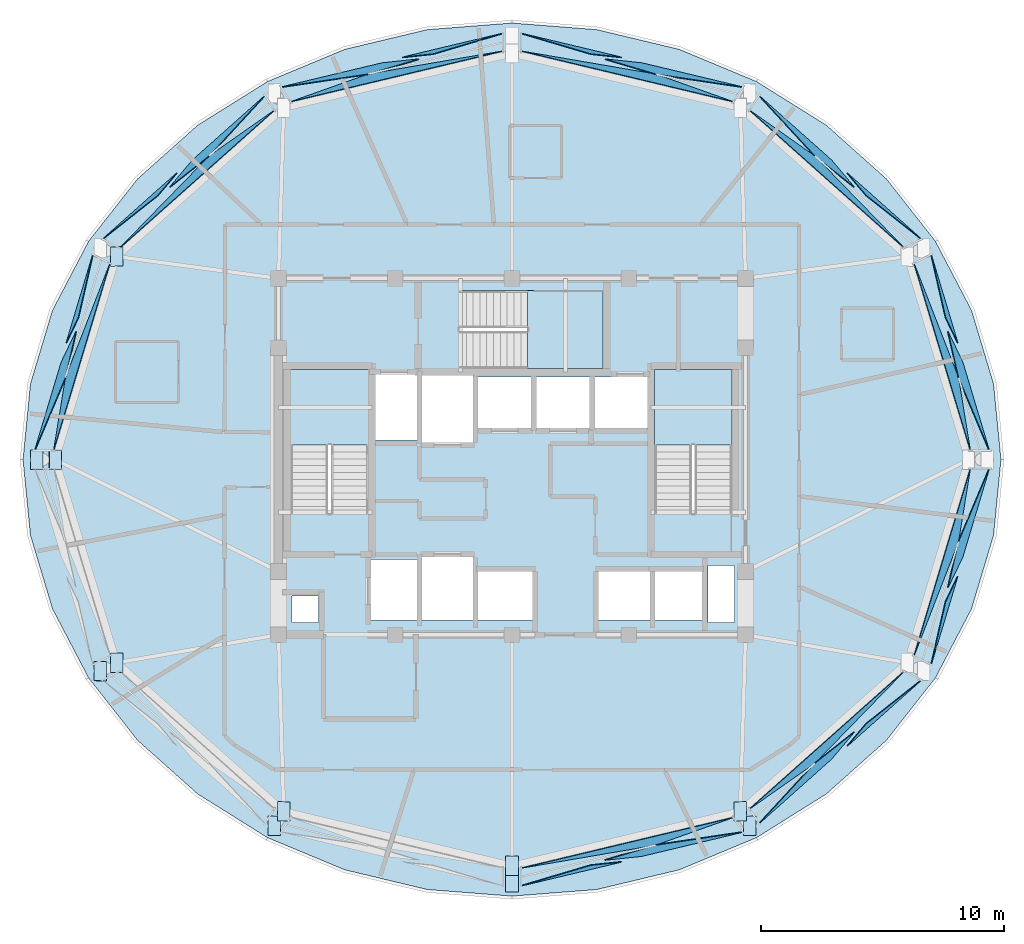
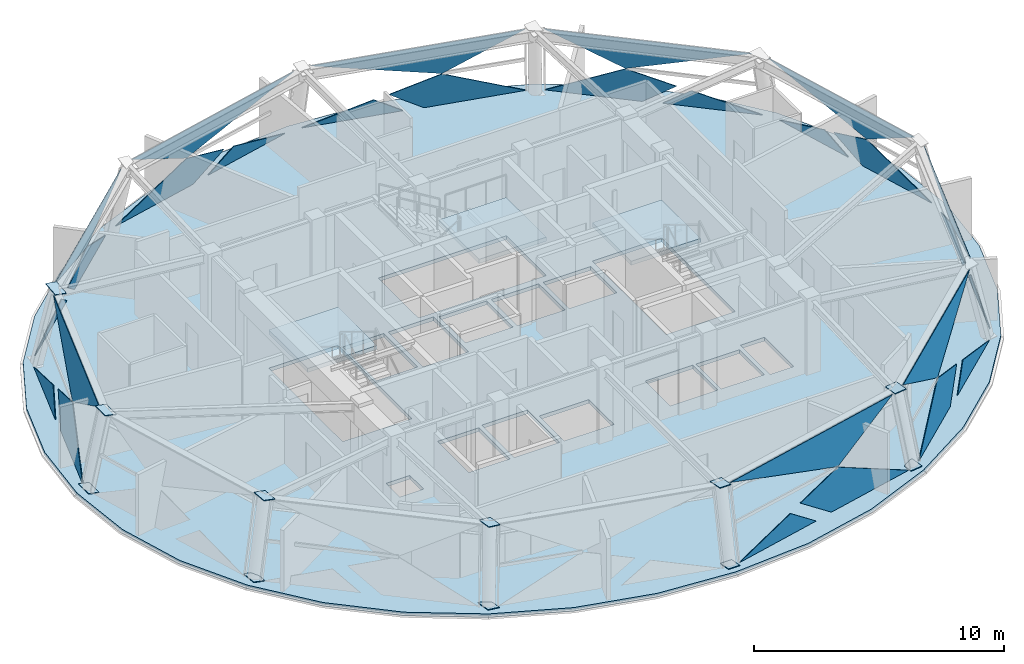
# One storey, part 3 of 11: 38 plates, 4 slabs, 12 elements without a shape of their own.
"""IFC4 building model written with IfcOpenShell, lengths in metres."""

import ifcopenshell
import ifcopenshell.guid

model = None  # the IFC model being written
_history = None  # IfcOwnerHistory: only IFC2X3 demands one
_inside = {}  # id of a spatial element -> (the spatial element, [elements in it])
_under = {}  # id of a project, library or spatial element -> (it, [spatial elements below it])
_declared = {}  # id of a project -> (the project, [libraries it declares])
_typed = {}  # id of a type object -> (the type object, [elements of that type])
_made_of = {}  # id of a material, layer set ... -> (it, [elements and type objects made of it])


def new_model(schema):
    """Start an empty IFC model of exactly this schema.

    Asked for "IFC4X3", IfcOpenShell would pick the latest addendum, in which some entities
    have other attributes; the version numbers below select the first issue.
    IFC2X3 requires an IfcOwnerHistory on every rooted entity: one is made here for all.
    """
    global model, _history
    if schema == "IFC4X3":
        model = ifcopenshell.file(schema_version=(4, 3, 0, 0))
    else:
        model = ifcopenshell.file(schema=schema)
    _inside.clear()
    _under.clear()
    _declared.clear()
    _typed.clear()
    _made_of.clear()
    _history = None
    if model.schema == "IFC2X3":
        org = make("IfcOrganization", Name="unknown")
        user = make(
            "IfcPersonAndOrganization",
            ThePerson=make("IfcPerson", FamilyName="unknown"),
            TheOrganization=org,
        )
        app = make(
            "IfcApplication",
            ApplicationDeveloper=org,
            Version="unknown",
            ApplicationFullName="unknown",
            ApplicationIdentifier="unknown",
        )
        _history = make(
            "IfcOwnerHistory",
            OwningUser=user,
            OwningApplication=app,
            ChangeAction="ADDED",
            CreationDate=0,
        )
    return model


def make(cls, **values):
    """One entity of the class cls with the attributes given. An attribute that is None is left unset."""
    return model.create_entity(
        cls, **{name: value for name, value in values.items() if value is not None}
    )


def rooted(cls, **values):
    """An entity with a GlobalId (a new one), such as an element, a storey or a relation."""
    return make(cls, GlobalId=ifcopenshell.guid.new(), OwnerHistory=_history, **values)


def si_unit(unit_type, name, prefix=None):
    """IfcSIUnit, for example si_unit("LENGTHUNIT", "METRE", prefix="MILLI")."""
    return make("IfcSIUnit", UnitType=unit_type, Prefix=prefix, Name=name)


def assignment(units):
    """IfcUnitAssignment: the units of a project."""
    return None if units is None else make("IfcUnitAssignment", Units=units)


def point(xyz):
    """IfcCartesianPoint."""
    return None if xyz is None else make("IfcCartesianPoint", Coordinates=xyz)


def direction(xyz):
    """IfcDirection."""
    return None if xyz is None else make("IfcDirection", DirectionRatios=xyz)


def frame(location, z_axis=None, x_axis=None):
    """IfcAxis2Placement3D, a coordinate frame: its origin and axes. An axis left out is left unset."""
    return make(
        "IfcAxis2Placement3D",
        Location=point(location),
        Axis=direction(z_axis),
        RefDirection=direction(x_axis),
    )


def origin():
    """The frame at (0, 0, 0) with its axes left unset."""
    return frame((0.0, 0.0, 0.0))


def place(relative_to, where):
    """IfcLocalPlacement: puts the frame where relative to a parent placement (None: the world)."""
    return make(
        "IfcLocalPlacement", PlacementRelTo=relative_to, RelativePlacement=where
    )


def context(
    kind, dimensions, precision=None, world=None, true_north=None, identifier=None
):
    """IfcGeometricRepresentationContext, for example the 3D "Model" context."""
    return make(
        "IfcGeometricRepresentationContext",
        ContextIdentifier=identifier,
        ContextType=kind,
        CoordinateSpaceDimension=dimensions,
        Precision=precision,
        WorldCoordinateSystem=world,
        TrueNorth=true_north,
    )


def subcontext(parent, identifier, kind, view, scale=None):
    """IfcGeometricRepresentationSubContext, for example "Body" below "Model"."""
    return make(
        "IfcGeometricRepresentationSubContext",
        ContextIdentifier=identifier,
        ContextType=kind,
        ParentContext=parent,
        TargetScale=scale,
        TargetView=view,
    )


def project(units=None, contexts=None):
    """IfcProject with its units and contexts."""
    return rooted(
        "IfcProject",
        Name="project",
        RepresentationContexts=contexts,
        UnitsInContext=assignment(units),
    )


def spatial(cls, under=None, at=None, **own):
    """A site, building, storey or space (cls), placed at a placement, below another one or the project."""
    s = rooted(cls, ObjectPlacement=at, **own)
    if under is not None:
        _under.setdefault(under.id(), (under, []))[1].append(s)
    return s


def polyline(points):
    """IfcPolyline through the points."""
    return make("IfcPolyline", Points=[point(p) for p in points])


def outline(outer, holes=None, kind="AREA"):
    """IfcArbitraryClosedProfileDef: a profile drawn as a closed curve; with holes, ...WithVoids."""
    if holes is None:
        return make("IfcArbitraryClosedProfileDef", ProfileType=kind, OuterCurve=outer)
    return make(
        "IfcArbitraryProfileDefWithVoids",
        ProfileType=kind,
        OuterCurve=outer,
        InnerCurves=holes,
    )


def extrude(swept, where, along, depth):
    """IfcExtrudedAreaSolid: the profile swept, set in the frame where, extruded along a direction by depth."""
    return make(
        "IfcExtrudedAreaSolid",
        SweptArea=swept,
        Position=where,
        ExtrudedDirection=direction(along),
        Depth=depth,
    )


def shape(context_of_items, identifier, shape_type, items):
    """IfcShapeRepresentation: the items that make up one representation, for example the "Body"."""
    return make(
        "IfcShapeRepresentation",
        ContextOfItems=context_of_items,
        RepresentationIdentifier=identifier,
        RepresentationType=shape_type,
        Items=items,
    )


def material(Name=None, Category=None):
    """IfcMaterial."""
    return make("IfcMaterial", Name=Name, Category=Category)


def layer(
    of_material, thickness, ventilated=None, Name=None, Category=None, Priority=None
):
    """IfcMaterialLayer: one layer of a wall or slab, of a material (None: an air gap)."""
    return make(
        "IfcMaterialLayer",
        Material=of_material,
        LayerThickness=thickness,
        IsVentilated=ventilated,
        Name=Name,
        Category=Category,
        Priority=Priority,
    )


def layer_set(layers, Name=None):
    """IfcMaterialLayerSet."""
    return make("IfcMaterialLayerSet", MaterialLayers=layers, LayerSetName=Name)


def made_of(thing, what):
    """Note that an element or type object is made of a material, layer set ...; save() writes the relation."""
    if what is not None:
        _made_of.setdefault(what.id(), (what, []))[1].append(thing)
    return thing


def type_object(cls, material=None, **own):
    """A type object (cls), such as IfcWallType, which elements share."""
    return made_of(rooted(cls, **own), material)


def element(
    cls,
    number,
    at=None,
    inside=None,
    cuts=None,
    type_object=None,
    material=None,
    context=None,
    identifier="Body",
    shape_type=None,
    held_by="IfcProductDefinitionShape",
    body=None,
    shapes=None,
    **own,
):
    """One element of the class cls, such as IfcWall. Its Tag is "e" and its number.

    at: its placement. inside: the storey or other place that contains it. cuts: it is an
    opening in that element (IfcRelVoidsElement). A single representation is given by context,
    identifier, shape_type and body (its items); several are given by shapes. held_by: the class
    of the entity that holds the representations. save() writes the other relations.
    """
    e = rooted(cls, Tag="e%d" % number, ObjectPlacement=at, **own)
    if body is not None:
        shapes = [shape(context, identifier, shape_type, body)]
    if shapes is not None:
        e.Representation = make(held_by, Representations=shapes)
    if inside is not None:
        _inside.setdefault(inside.id(), (inside, []))[1].append(e)
    if cuts is not None:
        rooted(
            "IfcRelVoidsElement", RelatingBuildingElement=cuts, RelatedOpeningElement=e
        )
    if type_object is not None:
        _typed.setdefault(type_object.id(), (type_object, []))[1].append(e)
    return made_of(e, material)


def aggregate(whole, parts):
    """IfcRelAggregates: a whole, such as a stair, and the parts it consists of."""
    return rooted("IfcRelAggregates", RelatingObject=whole, RelatedObjects=parts)


def save(model, path):
    """Write the relations noted so far, then the file.

    IfcRelAggregates (storeys below a building ...), IfcRelContainedInSpatialStructure (elements
    in a storey), IfcRelDefinesByType, IfcRelAssociatesMaterial and IfcRelDeclares: one each for
    every whole, place, type object, material and project.
    """
    for whole, parts in _under.values():
        aggregate(whole, parts)
    for where, things in _inside.values():
        rooted(
            "IfcRelContainedInSpatialStructure",
            RelatedElements=things,
            RelatingStructure=where,
        )
    for kind, things in _typed.values():
        rooted("IfcRelDefinesByType", RelatedObjects=things, RelatingType=kind)
    for what, things in _made_of.values():
        rooted("IfcRelAssociatesMaterial", RelatedObjects=things, RelatingMaterial=what)
    for by, libraries in _declared.values():
        rooted("IfcRelDeclares", RelatingContext=by, RelatedDefinitions=libraries)
    model.write(path)


model = new_model("IFC4")

# Units and contexts
model_context = context("Model", 3, precision=1e-05, world=origin(), true_north=direction((0.0, 1.0)))
body_context = subcontext(model_context, "Body", "Model", "MODEL_VIEW")
ifc_project = project(units=[si_unit("LENGTHUNIT", "METRE"), si_unit("AREAUNIT", "SQUARE_METRE"), si_unit("VOLUMEUNIT", "CUBIC_METRE"), si_unit("PLANEANGLEUNIT", "RADIAN"), si_unit("MASSUNIT", "GRAM", prefix="KILO")], contexts=[model_context])

# Site, building, storey
site_placement = place(None, origin())
site = spatial("IfcSite", under=ifc_project, at=site_placement, CompositionType="ELEMENT")
building_placement = place(site_placement, origin())
building = spatial("IfcBuilding", under=site, at=building_placement, Name="Vantalir Tower", CompositionType="ELEMENT")
storey_placement = place(building_placement, frame((0.0, 0.0, 278.85009765625)))
storey = spatial("IfcBuildingStorey", under=building, at=storey_placement, Name="L70", CompositionType="ELEMENT", Elevation=278.85009765625)

# Curtain wall, plates
ifc_material_1 = material(Name="Champagne-silver PVDF aluminium and double-silver Low-E glass", Category="aluminium")
ifc_layer_1 = layer(ifc_material_1, 0.219970703125)
ifc_layer_set_1 = layer_set([ifc_layer_1], Name="Champagne-silver PVDF aluminium and double-silver Low-E glass")
curtain_wall_type = type_object("IfcCurtainWallType", Name="CW-DIAMOND-Z4", PredefinedType="USERDEFINED", material=ifc_layer_set_1)
curtain_wall_1_placement = place(storey_placement, origin())
curtain_wall_1 = element("IfcCurtainWall", 1, at=curtain_wall_1_placement, inside=storey, type_object=curtain_wall_type, Name="L70 Quilted Pyramid-Diamond Curtain Wall S01", ObjectType="UNITISED CURTAIN WALL", PredefinedType="USERDEFINED")
ifc_material_2 = material(Name="Double-silver Low-E acoustic glass IGU", Category="glass")
ifc_layer_2 = layer(ifc_material_2, 0.031982421875)
ifc_layer_set_2 = layer_set([ifc_layer_2], Name="Double-silver Low-E acoustic glass IGU")
plate_type_1 = type_object("IfcPlateType", Name="CWP-IGU-32", PredefinedType="CURTAIN_PANEL", material=ifc_layer_set_2)
plate_1_placement = place(storey_placement, frame((51.123046875, 25.387451171875, 0.047119140625), z_axis=(0.938844856219, 0.282432365834, 0.19698298069), x_axis=(-0.288064955524, 0.957610869658, -6.0927675e-05)))
plate_1 = element("IfcPlate", 2, at=plate_1_placement, type_object=plate_type_1, Name="CW-L70-S01 Pyramid Diamond Facet 1L", PredefinedType="CURTAIN_PANEL", context=body_context, shape_type="SweptSolid", body=[
    extrude(outline(polyline([(0.0, 0.0), (3.7814038845801523, -3.791997098268052e-17), (5.165391058592876, 1.0965056853286526), (3.2257569810311266, 1.7595386070550223), (0.0, 0.0)])), origin(), (0.0, 0.0, -1.0), 0.031982421875),
])
plate_2_placement = place(storey_placement, frame((49.8310546875, 29.804931640625, 0.053955078125), z_axis=(0.938842721954, 0.282389263406, 0.197054934847), x_axis=(-0.288036963055, 0.957619291741, 0.0)))
plate_2 = element("IfcPlate", 3, at=plate_2_placement, type_object=plate_type_1, Name="CW-L70-S01 Pyramid Diamond Facet 1L Infill Light", PredefinedType="CURTAIN_PANEL", context=body_context, shape_type="SweptSolid", body=[
    extrude(outline(polyline([(0.0, 0.0), (3.7701324457838936, 2.7755575615628914e-17), (1.1366346836791343, 0.9004684823359722), (0.0, 0.0)])), origin(), (0.0, 0.0, -1.0), 0.031982421875),
])
plate_3_placement = place(storey_placement, frame((48.037109375, 33.057373046875, 3.52294921875), z_axis=(0.933591175972, 0.280791270516, 0.222629240105), x_axis=(0.288032977747, -0.95762048851, -6.0965812e-05)))
plate_3 = element("IfcPlate", 4, at=plate_3_placement, type_object=plate_type_1, Name="CW-L70-S01 Pyramid Diamond Facet 2U", PredefinedType="CURTAIN_PANEL", context=body_context, shape_type="SweptSolid", body=[
    extrude(outline(polyline([(0.0, 0.0), (8.009099456834017, -9.03682510766668e-17), (5.007673031418236, 1.7694439086196514), (0.0, 0.0)])), origin(), (0.0, 0.0, -1.0), 0.031982421875),
])
aggregate(curtain_wall_1, [plate_1, plate_2, plate_3])

curtain_wall_2_placement = place(storey_placement, origin())
curtain_wall_2 = element("IfcCurtainWall", 5, at=curtain_wall_2_placement, inside=storey, type_object=curtain_wall_type, Name="L70 Quilted Pyramid-Diamond Curtain Wall S02", ObjectType="UNITISED CURTAIN WALL", PredefinedType="USERDEFINED")
plate_4_placement = place(storey_placement, frame((44.636474609375, 37.319091796875, 0.046875), z_axis=(0.653551323312, 0.733507249659, 0.186648821304), x_axis=(-0.746634895251, 0.665234041664, 5.4817073e-05)))
plate_4 = element("IfcPlate", 6, at=plate_4_placement, type_object=plate_type_1, Name="CW-L70-S02 Pyramid Diamond Facet 1L", PredefinedType="CURTAIN_PANEL", context=body_context, shape_type="SweptSolid", body=[
    extrude(outline(polyline([(0.0, 0.0), (3.9704121215130614, -7.724940478959219e-17), (0.613146758335046, 1.7561698920232336), (-1.443400195411699, 1.1006942914046356), (0.0, 0.0)])), origin(), (0.0, 0.0, -1.0), 0.031982421875),
])
plate_5_placement = place(storey_placement, frame((48.31591796875, 34.08837890625, 0.053466796875), z_axis=(0.653523787013, 0.733514530981, 0.18671661053), x_axis=(-0.746645169755, 0.665222512007, 0.0)))
plate_5 = element("IfcPlate", 7, at=plate_5_placement, type_object=plate_type_1, Name="CW-L70-S02 Pyramid Diamond Facet 1L Infill Light", PredefinedType="CURTAIN_PANEL", context=body_context, shape_type="SweptSolid", body=[
    extrude(outline(polyline([(0.0, 0.0), (4.0568838547072374, 5.551115123125783e-17), (2.8611040939885526, 0.9120353139058341), (0.0, 0.0)])), origin(), (0.0, 0.0, -1.0), 0.031982421875),
])
plate_6_placement = place(storey_placement, frame((41.28271484375, 39.358154296875, 3.522705078125), z_axis=(0.649957525765, 0.729622791687, 0.212616548161), x_axis=(0.74669128495, -0.665170748118, 2.877534e-05)))
plate_6 = element("IfcPlate", 8, at=plate_6_placement, type_object=plate_type_1, Name="CW-L70-S02 Pyramid Diamond Facet 2U", PredefinedType="CURTAIN_PANEL", context=body_context, shape_type="SweptSolid", body=[
    extrude(outline(polyline([(0.0, 0.0), (8.484369920760685, 1.2522535092207576e-17), (3.246775082158225, 1.7655593378170331), (0.0, 0.0)])), origin(), (0.0, 0.0, -1.0), 0.031982421875),
])
aggregate(curtain_wall_2, [plate_4, plate_5, plate_6])

curtain_wall_3_placement = place(storey_placement, origin())
curtain_wall_3 = element("IfcCurtainWall", 9, at=curtain_wall_3_placement, inside=storey, type_object=curtain_wall_type, Name="L70 Quilted Pyramid-Diamond Curtain Wall S03", ObjectType="UNITISED CURTAIN WALL", PredefinedType="USERDEFINED")
plate_7_placement = place(storey_placement, frame((40.97607421875, 40.32373046875, 0.046875), z_axis=(0.228481348952, 0.95712566124, 0.178063869939), x_axis=(-0.972670120087, 0.232191381143, 3.661113e-06)))
plate_7 = element("IfcPlate", 10, at=plate_7_placement, type_object=plate_type_1, Name="CW-L70-S03 Pyramid Diamond Facet 1L", PredefinedType="CURTAIN_PANEL", context=body_context, shape_type="SweptSolid", body=[
    extrude(outline(polyline([(0.0, 0.0), (4.251424865231911, 0.0), (5.769900013027781, 1.0889140891565692), (3.593074594485734, 1.7533648503617765), (0.0, 0.0)])), origin(), (0.0, 0.0, -1.0), 0.031982421875),
])
plate_8_placement = place(storey_placement, frame((35.99951171875, 41.548095703125, 0.05322265625), z_axis=(0.228447888109, 0.957119083445, 0.178142141348), x_axis=(-0.972674847658, 0.232171568833, -5.7955958e-05)))
plate_8 = element("IfcPlate", 11, at=plate_8_placement, type_object=plate_type_1, Name="CW-L70-S03 Pyramid Diamond Facet 1L Infill Light", PredefinedType="CURTAIN_PANEL", context=body_context, shape_type="SweptSolid", body=[
    extrude(outline(polyline([(0.0, 0.0), (4.212519856188243, 1.8404331877941438e-17), (1.257756258708385, 0.9019509858921202), (0.0, 0.0)])), origin(), (0.0, 0.0, -1.0), 0.031982421875),
])
plate_9_placement = place(storey_placement, frame((31.893798828125, 41.79638671875, 3.523193359375), z_axis=(0.227315919122, 0.952250340027, 0.203830230419), x_axis=(0.972672977881, -0.232179402865, -5.4636876e-05)))
plate_9 = element("IfcPlate", 12, at=plate_9_placement, type_object=plate_type_1, Name="CW-L70-S03 Pyramid Diamond Facet 2U", PredefinedType="CURTAIN_PANEL", context=body_context, shape_type="SweptSolid", body=[
    extrude(outline(polyline([(0.0, 0.0), (8.936844294843638, 1.1384122811097797e-17), (5.5829161339966955, 1.7625271013872832), (0.0, 0.0)])), origin(), (0.0, 0.0, -1.0), 0.031982421875),
])
aggregate(curtain_wall_3, [plate_7, plate_8, plate_9])

curtain_wall_4_placement = place(storey_placement, origin())
curtain_wall_4 = element("IfcCurtainWall", 13, at=curtain_wall_4_placement, inside=storey, type_object=curtain_wall_type, Name="L70 Quilted Pyramid-Diamond Curtain Wall S04", ObjectType="UNITISED CURTAIN WALL", PredefinedType="USERDEFINED")
plate_10_placement = place(storey_placement, frame((26.1591796875, 41.310791015625, 0.046875), z_axis=(-0.228481348952, 0.95712566124, 0.178063869939), x_axis=(-0.972670120087, -0.232191381143, -3.661113e-06)))
plate_10 = element("IfcPlate", 14, at=plate_10_placement, type_object=plate_type_1, Name="CW-L70-S04 Pyramid Diamond Facet 1L", PredefinedType="CURTAIN_PANEL", context=body_context, shape_type="SweptSolid", body=[
    extrude(outline(polyline([(0.0, 0.0), (4.251424865231911, 0.0), (0.6583502707461772, 1.7533648503617765), (-1.5184751477958702, 1.0889140891565692), (0.0, 0.0)])), origin(), (0.0, 0.0, -1.0), 0.031982421875),
])
plate_11_placement = place(storey_placement, frame((31.097900390625, 42.526123046875, 0.052978515625), z_axis=(-0.228447888109, 0.957119083445, 0.178142141348), x_axis=(-0.972674847658, -0.232171568833, 5.7955958e-05)))
plate_11 = element("IfcPlate", 15, at=plate_11_placement, type_object=plate_type_1, Name="CW-L70-S04 Pyramid Diamond Facet 1L Infill Light", PredefinedType="CURTAIN_PANEL", context=body_context, shape_type="SweptSolid", body=[
    extrude(outline(polyline([(0.0, 0.0), (4.212519856188243, -1.8404331877941438e-17), (2.954763597479858, 0.9019509858921202), (0.0, 0.0)])), origin(), (0.0, 0.0, -1.0), 0.031982421875),
])
plate_12_placement = place(storey_placement, frame((22.41357421875, 39.721435546875, 3.522705078125), z_axis=(-0.227315919122, 0.952250340027, 0.203830230419), x_axis=(0.972672977881, 0.232179402865, 5.4636876e-05)))
plate_12 = element("IfcPlate", 16, at=plate_12_placement, type_object=plate_type_1, Name="CW-L70-S04 Pyramid Diamond Facet 2U", PredefinedType="CURTAIN_PANEL", context=body_context, shape_type="SweptSolid", body=[
    extrude(outline(polyline([(0.0, 0.0), (8.936844294843638, -1.1384122811097797e-17), (3.35392816084694, 1.7625271013872834), (0.0, 0.0)])), origin(), (0.0, 0.0, -1.0), 0.031982421875),
])
aggregate(curtain_wall_4, [plate_10, plate_11, plate_12])

curtain_wall_5_placement = place(storey_placement, origin())
curtain_wall_5 = element("IfcCurtainWall", 17, at=curtain_wall_5_placement, inside=storey, type_object=curtain_wall_type, Name="L70 Quilted Pyramid-Diamond Curtain Wall S05", ObjectType="UNITISED CURTAIN WALL", PredefinedType="USERDEFINED")
plate_13_placement = place(storey_placement, frame((21.327880859375, 39.96044921875, 0.047119140625), z_axis=(-0.653551323312, 0.733507249659, 0.186648821304), x_axis=(-0.746634895251, -0.665234041664, -5.4817073e-05)))
plate_13 = element("IfcPlate", 18, at=plate_13_placement, type_object=plate_type_1, Name="CW-L70-S05 Pyramid Diamond Facet 1L", PredefinedType="CURTAIN_PANEL", context=body_context, shape_type="SweptSolid", body=[
    extrude(outline(polyline([(0.0, 0.0), (3.9704121215130614, 7.724940478959219e-17), (5.41381231692476, 1.1006942914046358), (3.357265363178016, 1.7561698920232336), (0.0, 0.0)])), origin(), (0.0, 0.0, -1.0), 0.031982421875),
])
plate_14_placement = place(storey_placement, frame((17.713134765625, 36.787109375, 0.053466796875), z_axis=(-0.653523787013, 0.733514530981, 0.18671661053), x_axis=(-0.746645169755, -0.665222512007, 0.0)))
plate_14 = element("IfcPlate", 19, at=plate_14_placement, type_object=plate_type_1, Name="CW-L70-S05 Pyramid Diamond Facet 1L Infill Light", PredefinedType="CURTAIN_PANEL", context=body_context, shape_type="SweptSolid", body=[
    extrude(outline(polyline([(0.0, 0.0), (4.0568838547072374, -5.551115123125783e-17), (1.1957797607186853, 0.912035313905834), (0.0, 0.0)])), origin(), (0.0, 0.0, -1.0), 0.031982421875),
])
plate_15_placement = place(storey_placement, frame((15.382080078125, 33.714599609375, 3.52294921875), z_axis=(-0.649957525765, 0.729622791687, 0.212616548161), x_axis=(0.74669128495, 0.665170748118, -2.877534e-05)))
plate_15 = element("IfcPlate", 20, at=plate_15_placement, type_object=plate_type_1, Name="CW-L70-S05 Pyramid Diamond Facet 2U", PredefinedType="CURTAIN_PANEL", context=body_context, shape_type="SweptSolid", body=[
    extrude(outline(polyline([(0.0, 0.0), (8.484369920760685, -1.2522535092207576e-17), (5.237594838602459, 1.7655593378170331), (0.0, 0.0)])), origin(), (0.0, 0.0, -1.0), 0.031982421875),
])
aggregate(curtain_wall_5, [plate_13, plate_14, plate_15])

curtain_wall_6_placement = place(storey_placement, origin())
curtain_wall_6 = element("IfcCurtainWall", 21, at=curtain_wall_6_placement, inside=storey, type_object=curtain_wall_type, Name="L70 Quilted Pyramid-Diamond Curtain Wall S06", ObjectType="UNITISED CURTAIN WALL", PredefinedType="USERDEFINED")
plate_16_placement = place(storey_placement, frame((12.96630859375, 29.008544921875, 0.046875), z_axis=(-0.938844856219, 0.282432365834, 0.19698298069), x_axis=(-0.288064955524, -0.957610869658, 6.0927675e-05)))
plate_16 = element("IfcPlate", 22, at=plate_16_placement, type_object=plate_type_1, Name="CW-L70-S06 Pyramid Diamond Facet 1L", PredefinedType="CURTAIN_PANEL", context=body_context, shape_type="SweptSolid", body=[
    extrude(outline(polyline([(0.0, 0.0), (3.7814038845801523, 3.791997098268052e-17), (0.5556469035490254, 1.759538607055022), (-1.3839871740127245, 1.0965056853286526), (0.0, 0.0)])), origin(), (0.0, 0.0, -1.0), 0.031982421875),
])
plate_17_placement = place(storey_placement, frame((14.2548828125, 33.415283203125, 0.053955078125), z_axis=(-0.938842721954, 0.282389263406, 0.197054934847), x_axis=(-0.288036963055, -0.957619291741, 0.0)))
plate_17 = element("IfcPlate", 23, at=plate_17_placement, type_object=plate_type_1, Name="CW-L70-S06 Pyramid Diamond Facet 1L Infill Light", PredefinedType="CURTAIN_PANEL", context=body_context, shape_type="SweptSolid", body=[
    extrude(outline(polyline([(0.0, 0.0), (3.7701324457838936, -2.7755575615628914e-17), (2.633497762104759, 0.9004684823359722), (0.0, 0.0)])), origin(), (0.0, 0.0, -1.0), 0.031982421875),
])
plate_18_placement = place(storey_placement, frame((12.656005859375, 25.3876953125, 3.5224609375), z_axis=(-0.933591175972, 0.280791270516, 0.222629240105), x_axis=(0.288032977747, 0.95762048851, 6.0965812e-05)))
plate_18 = element("IfcPlate", 24, at=plate_18_placement, type_object=plate_type_1, Name="CW-L70-S06 Pyramid Diamond Facet 2U", PredefinedType="CURTAIN_PANEL", context=body_context, shape_type="SweptSolid", body=[
    extrude(outline(polyline([(0.0, 0.0), (8.009099456834017, 9.03682510766668e-17), (3.00142642541578, 1.7694439086196514), (0.0, 0.0)])), origin(), (0.0, 0.0, -1.0), 0.031982421875),
])
aggregate(curtain_wall_6, [plate_16, plate_17, plate_18])

curtain_wall_7_placement = place(storey_placement, origin())
curtain_wall_7 = element("IfcCurtainWall", 25, at=curtain_wall_7_placement, inside=storey, type_object=curtain_wall_type, Name="L70 Quilted Pyramid-Diamond Curtain Wall S10", ObjectType="UNITISED CURTAIN WALL", PredefinedType="USERDEFINED")
plate_19_placement = place(storey_placement, frame((36.8408203125, 8.689208984375, 0.046875), z_axis=(0.228481348952, -0.95712566124, 0.178063869939), x_axis=(0.972670120087, 0.232191381143, -3.661113e-06)))
plate_19 = element("IfcPlate", 26, at=plate_19_placement, type_object=plate_type_1, Name="CW-L70-S10 Pyramid Diamond Facet 1L", PredefinedType="CURTAIN_PANEL", context=body_context, shape_type="SweptSolid", body=[
    extrude(outline(polyline([(0.0, 0.0), (4.251424865231911, 0.0), (0.6583502707461772, 1.7533648503617765), (-1.5184751477958702, 1.0889140891565692), (0.0, 0.0)])), origin(), (0.0, 0.0, -1.0), 0.031982421875),
])
plate_20_placement = place(storey_placement, frame((31.902099609375, 7.473876953125, 0.052978515625), z_axis=(0.228447888109, -0.957119083445, 0.178142141348), x_axis=(0.972674847658, 0.232171568833, 5.7955958e-05)))
plate_20 = element("IfcPlate", 27, at=plate_20_placement, type_object=plate_type_1, Name="CW-L70-S10 Pyramid Diamond Facet 1L Infill Light", PredefinedType="CURTAIN_PANEL", context=body_context, shape_type="SweptSolid", body=[
    extrude(outline(polyline([(0.0, 0.0), (4.212519856188243, -1.8404331877941438e-17), (2.954763597479858, 0.9019509858921202), (0.0, 0.0)])), origin(), (0.0, 0.0, -1.0), 0.031982421875),
])
plate_21_placement = place(storey_placement, frame((40.58642578125, 10.278564453125, 3.522705078125), z_axis=(0.227315919122, -0.952250340027, 0.203830230419), x_axis=(-0.972672977881, -0.232179402865, 5.4636876e-05)))
plate_21 = element("IfcPlate", 28, at=plate_21_placement, type_object=plate_type_1, Name="CW-L70-S10 Pyramid Diamond Facet 2U", PredefinedType="CURTAIN_PANEL", context=body_context, shape_type="SweptSolid", body=[
    extrude(outline(polyline([(0.0, 0.0), (8.936844294843638, -1.1384122811097797e-17), (3.35392816084694, 1.7625271013872834), (0.0, 0.0)])), origin(), (0.0, 0.0, -1.0), 0.031982421875),
])
aggregate(curtain_wall_7, [plate_19, plate_20, plate_21])

curtain_wall_8_placement = place(storey_placement, origin())
curtain_wall_8 = element("IfcCurtainWall", 29, at=curtain_wall_8_placement, inside=storey, type_object=curtain_wall_type, Name="L70 Quilted Pyramid-Diamond Curtain Wall S11", ObjectType="UNITISED CURTAIN WALL", PredefinedType="USERDEFINED")
plate_22_placement = place(storey_placement, frame((41.672119140625, 10.03955078125, 0.047119140625), z_axis=(0.653551323312, -0.733507249659, 0.186648821304), x_axis=(0.746634895251, 0.665234041664, -5.4817073e-05)))
plate_22 = element("IfcPlate", 30, at=plate_22_placement, type_object=plate_type_1, Name="CW-L70-S11 Pyramid Diamond Facet 1L", PredefinedType="CURTAIN_PANEL", context=body_context, shape_type="SweptSolid", body=[
    extrude(outline(polyline([(0.0, 0.0), (3.9704121215130614, 7.724940478959219e-17), (5.41381231692476, 1.1006942914046358), (3.357265363178016, 1.7561698920232336), (0.0, 0.0)])), origin(), (0.0, 0.0, -1.0), 0.031982421875),
])
plate_23_placement = place(storey_placement, frame((45.286865234375, 13.212890625, 0.053466796875), z_axis=(0.653523787013, -0.733514530981, 0.18671661053), x_axis=(0.746645169755, 0.665222512007, 0.0)))
plate_23 = element("IfcPlate", 31, at=plate_23_placement, type_object=plate_type_1, Name="CW-L70-S11 Pyramid Diamond Facet 1L Infill Light", PredefinedType="CURTAIN_PANEL", context=body_context, shape_type="SweptSolid", body=[
    extrude(outline(polyline([(0.0, 0.0), (4.0568838547072374, -5.551115123125783e-17), (1.1957797607186853, 0.912035313905834), (0.0, 0.0)])), origin(), (0.0, 0.0, -1.0), 0.031982421875),
])
plate_24_placement = place(storey_placement, frame((47.617919921875, 16.285400390625, 3.52294921875), z_axis=(0.649957525765, -0.729622791687, 0.212616548161), x_axis=(-0.74669128495, -0.665170748118, -2.877534e-05)))
plate_24 = element("IfcPlate", 32, at=plate_24_placement, type_object=plate_type_1, Name="CW-L70-S11 Pyramid Diamond Facet 2U", PredefinedType="CURTAIN_PANEL", context=body_context, shape_type="SweptSolid", body=[
    extrude(outline(polyline([(0.0, 0.0), (8.484369920760685, -1.2522535092207576e-17), (5.237594838602459, 1.7655593378170331), (0.0, 0.0)])), origin(), (0.0, 0.0, -1.0), 0.031982421875),
])
aggregate(curtain_wall_8, [plate_22, plate_23, plate_24])

curtain_wall_9_placement = place(storey_placement, origin())
curtain_wall_9 = element("IfcCurtainWall", 33, at=curtain_wall_9_placement, inside=storey, type_object=curtain_wall_type, Name="L70 Quilted Pyramid-Diamond Curtain Wall S12", ObjectType="UNITISED CURTAIN WALL", PredefinedType="USERDEFINED")
plate_25_placement = place(storey_placement, frame((50.03369140625, 20.991455078125, 0.046875), z_axis=(0.938844856219, -0.282432365834, 0.19698298069), x_axis=(0.288064955524, 0.957610869658, 6.0927675e-05)))
plate_25 = element("IfcPlate", 34, at=plate_25_placement, type_object=plate_type_1, Name="CW-L70-S12 Pyramid Diamond Facet 1L", PredefinedType="CURTAIN_PANEL", context=body_context, shape_type="SweptSolid", body=[
    extrude(outline(polyline([(0.0, 0.0), (3.7814038845801523, 3.791997098268052e-17), (0.5556469035490254, 1.759538607055022), (-1.3839871740127245, 1.0965056853286526), (0.0, 0.0)])), origin(), (0.0, 0.0, -1.0), 0.031982421875),
])
plate_26_placement = place(storey_placement, frame((48.7451171875, 16.584716796875, 0.053955078125), z_axis=(0.938842721954, -0.282389263406, 0.197054934847), x_axis=(0.288036963055, 0.957619291741, 0.0)))
plate_26 = element("IfcPlate", 35, at=plate_26_placement, type_object=plate_type_1, Name="CW-L70-S12 Pyramid Diamond Facet 1L Infill Light", PredefinedType="CURTAIN_PANEL", context=body_context, shape_type="SweptSolid", body=[
    extrude(outline(polyline([(0.0, 0.0), (3.7701324457838936, -2.7755575615628914e-17), (2.633497762104759, 0.9004684823359722), (0.0, 0.0)])), origin(), (0.0, 0.0, -1.0), 0.031982421875),
])
plate_27_placement = place(storey_placement, frame((50.343994140625, 24.6123046875, 3.5224609375), z_axis=(0.933591175972, -0.280791270516, 0.222629240105), x_axis=(-0.288032977747, -0.95762048851, 6.0965812e-05)))
plate_27 = element("IfcPlate", 36, at=plate_27_placement, type_object=plate_type_1, Name="CW-L70-S12 Pyramid Diamond Facet 2U", PredefinedType="CURTAIN_PANEL", context=body_context, shape_type="SweptSolid", body=[
    extrude(outline(polyline([(0.0, 0.0), (8.009099456834017, 9.03682510766668e-17), (3.00142642541578, 1.7694439086196514), (0.0, 0.0)])), origin(), (0.0, 0.0, -1.0), 0.031982421875),
])
aggregate(curtain_wall_9, [plate_25, plate_26, plate_27])

# Plates
ifc_material_3 = material(Name="Steel S460", Category="steel")
ifc_layer_3 = layer(ifc_material_3, 0.031982421875)
ifc_layer_set_3 = layer_set([ifc_layer_3], Name="Steel S460")
plate_type_2 = type_object("IfcPlateType", Name="PLT-KN-Z3", PredefinedType="USERDEFINED", material=ifc_layer_set_3)
plate_28_placement = place(storey_placement, frame((14.993896484375, 33.7412109375, 3.68017578125), z_axis=(0.185396801421, -0.095358654348, 0.97802594703), x_axis=(-2.697084e-06, -0.995280435903, -0.097040475586)))
element("IfcPlate", 37, at=plate_28_placement, inside=storey, type_object=plate_type_2, Name="L70 Ring Column Top Cap RC06", ObjectType="FLANGE_PLATE", PredefinedType="USERDEFINED", context=body_context, shape_type="SweptSolid", body=[
    extrude(outline(polyline([(0.0, 0.0), (0.8001620246950976, 3.469446951953614e-18), (0.7999948676903315, 0.5200033998920808), (7.583138290540893e-05, 0.519999008203613), (0.0, 0.0)])), origin(), (0.0, 0.0, -1.0), 0.031982421875),
])
plate_29_placement = place(storey_placement, frame((12.481201171875, 25.39990234375, 3.64892578125), z_axis=(0.213696878805, 0.0, 0.976900017396), x_axis=(0.0, -1.0, 0.0)))
element("IfcPlate", 38, at=plate_29_placement, inside=storey, type_object=plate_type_2, Name="L70 Ring Column Top Cap RC07", ObjectType="FLANGE_PLATE", PredefinedType="USERDEFINED", context=body_context, shape_type="SweptSolid", body=[
    extrude(outline(polyline([(0.0, 0.0), (0.7998046875, 0.0), (0.7998046875, 0.5198203408302481), (0.0, 0.5198203408302481), (0.0, 0.0)])), origin(), (0.0, 0.0, -1.0), 0.031982421875),
])
plate_30_placement = place(storey_placement, frame((11.707275390625, 25.39990234375, 0.107177734375), z_axis=(0.213598875522, 0.0, 0.976921450464), x_axis=(0.0, -1.0, 0.0)))
element("IfcPlate", 39, at=plate_30_placement, inside=storey, type_object=plate_type_2, Name="L70 Ring Column Base Cap RC07", ObjectType="FLANGE_PLATE", PredefinedType="USERDEFINED", context=body_context, shape_type="SweptSolid", body=[
    extrude(outline(polyline([(0.0, 0.0), (0.7998046875, 0.0), (0.7998046875, 0.520058844427999), (0.0, 0.520058844427999), (0.0, 0.0)])), origin(), (0.0, 0.0, -1.0), 0.031982421875),
])
plate_31_placement = place(storey_placement, frame((14.993896484375, 17.05517578125, 3.6025390625), z_axis=(0.185396801421, 0.095358654348, 0.97802594703), x_axis=(2.697084e-06, -0.995280435903, 0.097040475586)))
element("IfcPlate", 40, at=plate_31_placement, inside=storey, type_object=plate_type_2, Name="L70 Ring Column Top Cap RC08", ObjectType="FLANGE_PLATE", PredefinedType="USERDEFINED", context=body_context, shape_type="SweptSolid", body=[
    extrude(outline(polyline([(0.0, 0.0), (0.8001620246950976, -3.469446951953614e-18), (0.8000861933121922, 0.519999008203613), (0.0001671570047661504, 0.5200033998920808), (0.0, 0.0)])), origin(), (0.0, 0.0, -1.0), 0.031982421875),
])
plate_32_placement = place(storey_placement, frame((14.3232421875, 16.709716796875, 0.060791015625), z_axis=(0.18492351534, 0.09538179272, 0.978113289498), x_axis=(0.0, -0.995278949359, 0.097055720913)))
element("IfcPlate", 41, at=plate_32_placement, inside=storey, type_object=plate_type_2, Name="L70 Ring Column Base Cap RC08", ObjectType="FLANGE_PLATE", PredefinedType="USERDEFINED", context=body_context, shape_type="SweptSolid", body=[
    extrude(outline(polyline([(0.0, 0.0), (0.7999190364041778, 1.734723475976807e-18), (0.7998640455540513, 0.5199540188790716), (-5.499085012650347e-05, 0.5199540188790717), (0.0, 0.0)])), origin(), (0.0, 0.0, -1.0), 0.031982421875),
])
plate_33_placement = place(storey_placement, frame((21.859130859375, 10.93994140625, 3.554443359375), z_axis=(0.107166844214, 0.165370916917, 0.980391619374), x_axis=(0.0, -0.986070348216, 0.16632879597)))
element("IfcPlate", 42, at=plate_33_placement, inside=storey, type_object=plate_type_2, Name="L70 Ring Column Top Cap RC09", ObjectType="FLANGE_PLATE", PredefinedType="USERDEFINED", context=body_context, shape_type="SweptSolid", body=[
    extrude(outline(polyline([(0.0, 0.0), (0.799961545139188, -1.734723475976807e-18), (0.79997294507548, 0.5198394318995309), (1.1399936291997537e-05, 0.5198394318995307), (0.0, 0.0)])), origin(), (0.0, 0.0, -1.0), 0.031982421875),
])
plate_34_placement = place(storey_placement, frame((21.47216796875, 10.3427734375, 0.0126953125), z_axis=(0.106888019572, 0.165228379927, 0.980446089155), x_axis=(-1.5991666e-05, -0.9860950793, 0.166182111925)))
element("IfcPlate", 43, at=plate_34_placement, inside=storey, type_object=plate_type_2, Name="L70 Ring Column Base Cap RC09", ObjectType="FLANGE_PLATE", PredefinedType="USERDEFINED", context=body_context, shape_type="SweptSolid", body=[
    extrude(outline(polyline([(0.0, 0.0), (0.7999615361861909, 0.0), (0.7999729540286049, 0.5200821534178379), (5.1989647083186194e-05, 0.5200564212137708), (0.0, 0.0)])), origin(), (0.0, 0.0, -1.0), 0.031982421875),
])
for number, where, z_axis, x_axis, name in (
    (44, (31.239990234375, 8.697265625, 3.516845703125), (0.0, 0.191302462326, 0.981531134457), (0.0, -0.981531134457, 0.191302462326), "L70 Ring Column Top Cap RC10"),
    (45, (31.239990234375, 8.0068359375, -0.024658203125), (0.0, 0.191302462326, 0.981531134457), (0.0, -0.981531134457, 0.191302462326), "L70 Ring Column Base Cap RC10"),
):
    element("IfcPlate", number, at=place(storey_placement, frame(where, z_axis=z_axis, x_axis=x_axis)), inside=storey, type_object=plate_type_2, Name=name, ObjectType="FLANGE_PLATE", PredefinedType="USERDEFINED", context=body_context, shape_type="SweptSolid", body=[
        extrude(outline(polyline([(0.0, 0.0), (0.8001787850160782, 0.0), (0.8001787850160782, 0.5200195312500001), (0.0, 0.5200195312500001), (0.0, 0.0)])), origin(), (0.0, 0.0, -1.0), 0.031982421875),
    ])
plate_35_placement = place(storey_placement, frame((40.6240234375, 10.9306640625, 3.49951171875), z_axis=(-0.107166844214, 0.165370916917, 0.980391619374), x_axis=(0.0, -0.986070348216, 0.16632879597)))
element("IfcPlate", 46, at=plate_35_placement, inside=storey, type_object=plate_type_2, Name="L70 Ring Column Top Cap RC11", ObjectType="FLANGE_PLATE", PredefinedType="USERDEFINED", context=body_context, shape_type="SweptSolid", body=[
    extrude(outline(polyline([(0.0, 0.0), (0.799961545139188, 1.734723475976807e-18), (0.799950145202896, 0.5198394318995309), (-1.1399936291997537e-05, 0.5198394318995307), (0.0, 0.0)])), origin(), (0.0, 0.0, -1.0), 0.031982421875),
])
plate_36_placement = place(storey_placement, frame((41.0107421875, 10.33349609375, -0.0419921875), z_axis=(-0.106888019572, 0.165228379927, 0.980446089155), x_axis=(-1.5992477e-05, -0.986095650698, 0.166178721315)))
element("IfcPlate", 47, at=plate_36_placement, inside=storey, type_object=plate_type_2, Name="L70 Ring Column Base Cap RC11", ObjectType="FLANGE_PLATE", PredefinedType="USERDEFINED", context=body_context, shape_type="SweptSolid", body=[
    extrude(outline(polyline([(0.0, 0.0), (0.7999209647954039, 0.0), (0.7998928167250203, 0.520082152781451), (-6.871904726706013e-05, 0.520056419272266), (0.0, 0.0)])), origin(), (0.0, 0.0, -1.0), 0.031982421875),
])

# Stair, slab
ifc_material_4 = material(Name="Concrete C40/50", Category="concrete")
stair_type = type_object("IfcStairType", Name="STR-CORE-1450", PredefinedType="HALF_TURN_STAIR", material=ifc_material_4)
stair_1_placement = place(storey_placement, origin())
stair_1 = element("IfcStair", 48, at=stair_1_placement, inside=storey, type_object=stair_type, Name="L70 Core Exit Stair 1", PredefinedType="HALF_TURN_STAIR")
ifc_layer_4 = layer(ifc_material_4, 0.199951171875)
ifc_layer_set_4 = layer_set([ifc_layer_4], Name="Concrete C40/50")
slab_type_1 = type_object("IfcSlabType", Name="SL-LAND-200", PredefinedType="LANDING", material=ifc_layer_set_4)
slab_1_placement = place(storey_placement, frame((0.0, 0.0, 1.6748046875)))
slab_1 = element("IfcSlab", 49, at=slab_1_placement, type_object=slab_type_1, Name="ST1 landing 1", PredefinedType="LANDING", context=body_context, shape_type="SweptSolid", body=[
    extrude(outline(polyline([(25.60009765625, 25.590087890625), (25.60009765625, 28.699951171875), (22.39990234375, 28.699951171875), (22.39990234375, 25.590087890625), (25.60009765625, 25.590087890625)])), origin(), (0.0, 0.0, 1.0), 0.2001953125),
])
aggregate(stair_1, [slab_1])

stair_2_placement = place(storey_placement, origin())
stair_2 = element("IfcStair", 50, at=stair_2_placement, inside=storey, type_object=stair_type, Name="L70 Core Exit Stair 2", PredefinedType="HALF_TURN_STAIR")
slab_2_placement = place(storey_placement, frame((0.0, 0.0, 1.6748046875)))
slab_2 = element("IfcSlab", 51, at=slab_2_placement, type_object=slab_type_1, Name="ST2 landing 1", PredefinedType="LANDING", context=body_context, shape_type="SweptSolid", body=[
    extrude(outline(polyline([(40.550048828125, 25.590087890625), (40.550048828125, 28.699951171875), (37.35009765625, 28.699951171875), (37.35009765625, 25.590087890625), (40.550048828125, 25.590087890625)])), origin(), (0.0, 0.0, 1.0), 0.2001953125),
])
aggregate(stair_2, [slab_2])

stair_3_placement = place(storey_placement, origin())
stair_3 = element("IfcStair", 52, at=stair_3_placement, inside=storey, type_object=stair_type, Name="L70 Core Exit Stair 3", PredefinedType="HALF_TURN_STAIR")
slab_3_placement = place(storey_placement, frame((0.0, 0.0, 1.6748046875)))
slab_3 = element("IfcSlab", 53, at=slab_3_placement, type_object=slab_type_1, Name="ST3 landing 1", PredefinedType="LANDING", context=body_context, shape_type="SweptSolid", body=[
    extrude(outline(polyline([(32.139892578125, 28.75), (35.25, 28.75), (35.25, 31.949951171875), (32.139892578125, 31.949951171875), (32.139892578125, 28.75)])), origin(), (0.0, 0.0, 1.0), 0.2001953125),
])
aggregate(stair_3, [slab_3])

# Slab
ifc_layer_5 = layer(ifc_material_4, 0.179931640625)
ifc_layer_set_5 = layer_set([ifc_layer_5], Name="Concrete C40/50")
slab_type_2 = type_object("IfcSlabType", Name="SL-TWR-180", PredefinedType="FLOOR", material=ifc_layer_set_5)
slab_4_placement = place(storey_placement, frame((0.0, 0.0, -0.18017578125)))
element("IfcSlab", 54, at=slab_4_placement, inside=storey, type_object=slab_type_2, Name="L70 Primary Structural Slab", PredefinedType="FLOOR", context=body_context, shape_type="SweptSolid", body=[
    extrude(outline(polyline([(16.10302734375, 13.465087890625), (18.580078125, 11.2529296875), (21.449951171875, 9.4580078125), (24.625, 8.135986328125), (28.010009765625, 7.326904296875), (31.5, 7.053955078125), (34.989990234375, 7.326904296875), (38.375, 8.135986328125), (41.550048828125, 9.4580078125), (44.419921875, 11.2529296875), (46.89697265625, 13.465087890625), (48.906982421875, 16.027099609375), (50.387939453125, 18.862060546875), (51.294921875, 21.884033203125), (51.60009765625, 25.0), (51.294921875, 28.115966796875), (50.387939453125, 31.137939453125), (48.906982421875, 33.972900390625), (46.89697265625, 36.534912109375), (44.419921875, 38.7470703125), (41.550048828125, 40.5419921875), (38.375, 41.864013671875), (34.989990234375, 42.673095703125), (31.5, 42.946044921875), (28.010009765625, 42.673095703125), (24.625, 41.864013671875), (21.449951171875, 40.5419921875), (18.580078125, 38.7470703125), (16.10302734375, 36.534912109375), (14.093017578125, 33.972900390625), (12.612060546875, 31.137939453125), (11.705078125, 28.115966796875), (11.39990234375, 25.0), (11.705078125, 21.884033203125), (12.612060546875, 18.862060546875), (14.093017578125, 16.027099609375), (16.10302734375, 13.465087890625)]), holes=[polyline([(22.39990234375, 28.699951171875), (25.60009765625, 28.699951171875), (25.60009765625, 22.7900390625), (22.39990234375, 22.7900390625), (22.39990234375, 28.699951171875)]), polyline([(40.550048828125, 28.699951171875), (40.550048828125, 22.7900390625), (37.35009765625, 22.7900390625), (37.35009765625, 28.699951171875), (40.550048828125, 28.699951171875)]), polyline([(29.340087890625, 28.75), (29.340087890625, 31.949951171875), (35.25, 31.949951171875), (35.25, 28.75), (29.340087890625, 28.75)]), polyline([(25.699951171875, 18.39990234375), (25.699951171875, 20.89990234375), (27.60009765625, 20.89990234375), (27.60009765625, 18.39990234375), (25.699951171875, 18.39990234375)]), polyline([(25.699951171875, 28.5), (27.60009765625, 28.5), (27.60009765625, 25.800048828125), (25.699951171875, 25.800048828125), (25.699951171875, 28.5)]), polyline([(29.89990234375, 21.0), (29.89990234375, 18.39990234375), (27.800048828125, 18.39990234375), (27.800048828125, 21.0), (29.89990234375, 21.0)]), polyline([(29.89990234375, 25.699951171875), (27.800048828125, 25.699951171875), (27.800048828125, 28.5), (29.89990234375, 28.5), (29.89990234375, 25.699951171875)]), polyline([(30.10009765625, 18.39990234375), (30.10009765625, 20.39990234375), (32.39990234375, 20.39990234375), (32.39990234375, 18.39990234375), (30.10009765625, 18.39990234375)]), polyline([(37.35009765625, 20.39990234375), (39.35009765625, 20.39990234375), (39.35009765625, 18.39990234375), (37.35009765625, 18.39990234375), (37.35009765625, 20.39990234375)]), polyline([(37.199951171875, 20.39990234375), (37.199951171875, 18.39990234375), (35.0, 18.39990234375), (35.0, 20.39990234375), (37.199951171875, 20.39990234375)]), polyline([(32.300048828125, 26.300048828125), (30.10009765625, 26.300048828125), (30.10009765625, 28.39990234375), (32.300048828125, 28.39990234375), (32.300048828125, 26.300048828125)]), polyline([(32.5, 26.300048828125), (32.5, 28.39990234375), (34.699951171875, 28.39990234375), (34.699951171875, 26.300048828125), (32.5, 26.300048828125)]), polyline([(34.89990234375, 28.39990234375), (37.10009765625, 28.39990234375), (37.10009765625, 26.300048828125), (34.89990234375, 26.300048828125), (34.89990234375, 28.39990234375)]), polyline([(23.550048828125, 19.39990234375), (23.550048828125, 18.300048828125), (22.449951171875, 18.300048828125), (22.449951171875, 19.39990234375), (23.550048828125, 19.39990234375)]), polyline([(40.64990234375, 18.300048828125), (39.550048828125, 18.300048828125), (39.550048828125, 20.64990234375), (40.64990234375, 20.64990234375), (40.64990234375, 18.300048828125)])]), origin(), (0.0, 0.0, 1.0), 0.18017578125),
])

save(model, "model.ifc")
